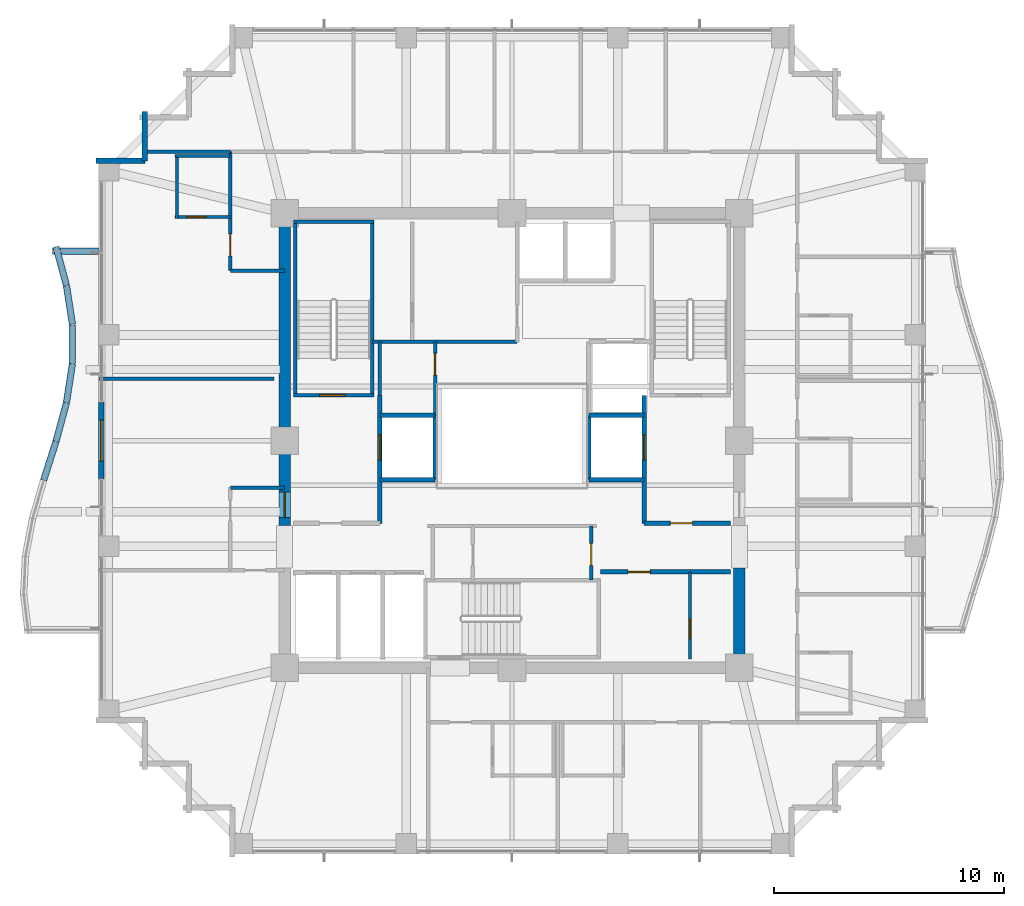
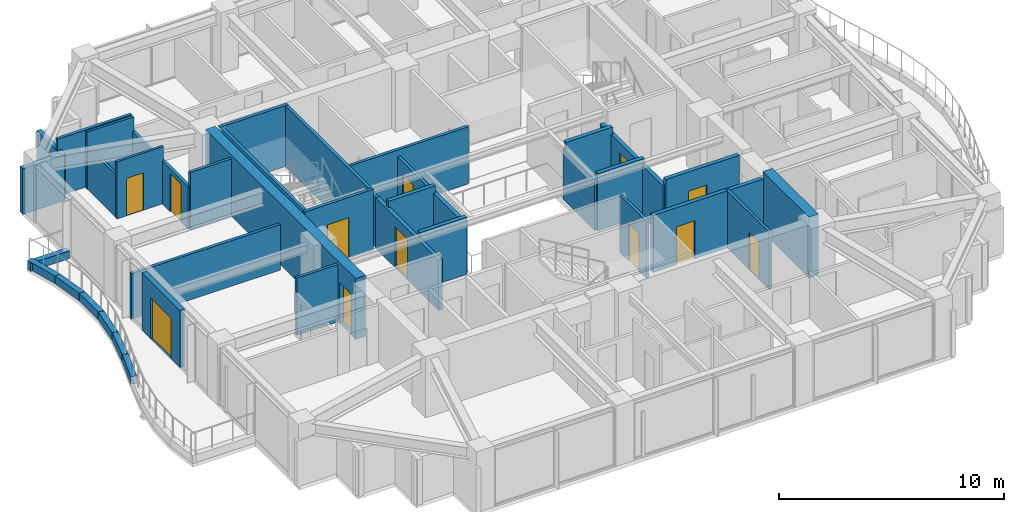
# One storey, part 29 of 33: 39 walls, 12 doors, 12 openings.
"""IFC4 building model written with IfcOpenShell, lengths in metres."""

from ifc_helpers import new_model, si_unit, direction, frame, frame_2d, origin, place, context, subcontext, project, spatial, rectangle, extrude, material, layer, layer_set, type_object, element, fill, save


model = new_model("IFC4")

# Units and contexts
model_context = context("Model", 3, precision=1e-05, world=origin(), true_north=direction((0.0, 1.0)))
body_context = subcontext(model_context, "Body", "Model", "MODEL_VIEW")
ifc_project = project(units=[si_unit("LENGTHUNIT", "METRE"), si_unit("AREAUNIT", "SQUARE_METRE"), si_unit("VOLUMEUNIT", "CUBIC_METRE"), si_unit("PLANEANGLEUNIT", "RADIAN"), si_unit("MASSUNIT", "GRAM", prefix="KILO")], contexts=[model_context])

# Site, building, storey
site_placement = place(None, origin())
site = spatial("IfcSite", under=ifc_project, at=site_placement, CompositionType="ELEMENT")
building_placement = place(site_placement, origin())
building = spatial("IfcBuilding", under=site, at=building_placement, Name="Kolvaren Belvedere", CompositionType="ELEMENT")
storey_placement = place(building_placement, frame((0.0, 0.0, 128.300048828125)))
storey = spatial("IfcBuildingStorey", under=building, at=storey_placement, Name="L37", CompositionType="ELEMENT", Elevation=128.300048828125)

# Wall
ifc_material_1 = material(Name="Concrete C50/60", Category="concrete")
ifc_layer_1 = layer(ifc_material_1, 0.5)
ifc_layer_set_1 = layer_set([ifc_layer_1], Name="Concrete C50/60")
wall_type_1 = type_object("IfcWallType", Name="CW-CORE-500", PredefinedType="SHEAR", material=ifc_layer_set_1)
wall_1_placement = place(storey_placement, frame((9.89990234375, -9.64990234375, 0.0), z_axis=(0.0, 0.0, 1.0), x_axis=(0.0, 1.0, 0.0)))
element("IfcWall", 1, at=wall_1_placement, inside=storey, type_object=wall_type_1, Name="L37 East Core Shear Wall 1", PredefinedType="SHEAR", context=body_context, shape_type="SweptSolid", body=[
    extrude(rectangle(XDim=4.099853515625, YDim=0.5, at=frame_2d((2.0498046875, 0.0))), origin(), (0.0, 0.0, 1.0), 3.300048828125),
])

# Wall, opening, door
wall_2_placement = place(storey_placement, frame((-9.89990234375, -3.699951171875, 0.0), z_axis=(0.0, 0.0, 1.0), x_axis=(0.0, 1.0, 0.0)))
wall_2 = element("IfcWall", 2, at=wall_2_placement, inside=storey, type_object=wall_type_1, Name="L37 West Core Shear Wall 2", PredefinedType="SHEAR", context=body_context, shape_type="SweptSolid", body=[
    extrude(rectangle(XDim=13.349853515625, YDim=0.5, at=frame_2d((6.6748046875, 0.0))), origin(), (0.0, 0.0, 1.0), 3.300048828125),
])
opening_1_placement = place(wall_2_placement, frame((0.35009765625, 0.0, 0.0)))
opening_1 = element("IfcOpeningElement", 3, at=opening_1_placement, cuts=wall_2, Name="Opening D-FD90", PredefinedType="OPENING", context=body_context, shape_type="SweptSolid", body=[
    extrude(rectangle(XDim=1.10009765625, YDim=2.199951171875, at=frame_2d((0.550048828125, 1.10009765625))), frame((0.0, 0.260009765625, 0.0), z_axis=(0.0, -1.0, 0.0), x_axis=(1.0, 0.0, 0.0)), (0.0, 0.0, 1.0), 0.52001953125),
])
ifc_material_2 = material(Name="Painted hollow stainless steel", Category="steel")
door_type_1 = type_object("IfcDoorType", Name="DR-FD90-1100", OperationType="NOTDEFINED", PredefinedType="DOOR", material=ifc_material_2)
door_1_placement = place(opening_1_placement, origin())
door_1 = element("IfcDoor", 4, at=door_1_placement, inside=storey, type_object=door_type_1, Name="L37 West Firefighting Lobby Fire Door", OperationType="SINGLE_SWING_LEFT", OverallHeight=2.199951171875, OverallWidth=1.10009765625, PredefinedType="DOOR", context=body_context, shape_type="SweptSolid", body=[
    extrude(rectangle(XDim=1.10009765625, YDim=2.199951171875, at=frame_2d((0.550048828125, 1.10009765625))), frame((0.0, 0.02490234375, 0.0), z_axis=(0.0, -1.0, 0.0), x_axis=(1.0, 0.0, 0.0)), (0.0, 0.0, 1.0), 0.050048828125),
])
fill(opening_1, door_1)

ifc_material_3 = material(Name="Concrete C50/60", Category="concrete")
ifc_layer_2 = layer(ifc_material_3, 0.159912109375)
ifc_layer_set_2 = layer_set([ifc_layer_2], Name="Concrete C50/60")
wall_type_2 = type_object("IfcWallType", Name="CW-STAIR-160", PredefinedType="SHEAR", material=ifc_layer_set_2)
wall_3_placement = place(storey_placement, frame((-9.52001953125, 1.969970703125, 0.0), z_axis=(0.0, 0.0, 1.0), x_axis=(1.0, 0.0, 0.0)))
wall_3 = element("IfcWall", 5, at=wall_3_placement, inside=storey, type_object=wall_type_2, Name="L37 Stair ST-1 South Shear Wall", PredefinedType="SHEAR", context=body_context, shape_type="SweptSolid", body=[
    extrude(rectangle(XDim=3.52001953125, YDim=0.159912109375, at=frame_2d((1.760009765625, 0.0))), origin(), (0.0, 0.0, 1.0), 3.300048828125),
])
opening_2_placement = place(wall_3_placement, frame((1.14990234375, 0.0, 0.0)))
opening_2 = element("IfcOpeningElement", 6, at=opening_2_placement, cuts=wall_3, Name="Opening D-FD90", PredefinedType="OPENING", context=body_context, shape_type="SweptSolid", body=[
    extrude(rectangle(XDim=1.10009765625, YDim=2.199951171875, at=frame_2d((0.550048828125, 1.10009765625))), frame((0.0, 0.08984375, 0.0), z_axis=(0.0, -1.0, 0.0), x_axis=(1.0, 0.0, 0.0)), (0.0, 0.0, 1.0), 0.179931640625),
])
door_2_placement = place(opening_2_placement, origin())
door_2 = element("IfcDoor", 7, at=door_2_placement, inside=storey, type_object=door_type_1, Name="L37 Stair ST-1 Fire Door", OperationType="SINGLE_SWING_LEFT", OverallHeight=2.199951171875, OverallWidth=1.10009765625, PredefinedType="DOOR", context=body_context, shape_type="SweptSolid", body=[
    extrude(rectangle(XDim=1.10009765625, YDim=2.199951171875, at=frame_2d((0.550048828125, 1.10009765625))), frame((0.0, 0.02490234375, 0.0), z_axis=(0.0, -1.0, 0.0), x_axis=(1.0, 0.0, 0.0)), (0.0, 0.0, 1.0), 0.050048828125),
])
fill(opening_2, door_2)

# Walls
wall_4_placement = place(storey_placement, frame((-9.52001953125, 9.530029296875, 0.0), z_axis=(0.0, 0.0, 1.0), x_axis=(1.0, 0.0, 0.0)))
element("IfcWall", 8, at=wall_4_placement, inside=storey, type_object=wall_type_2, Name="L37 Stair ST-1 North Shear Wall", PredefinedType="SHEAR", context=body_context, shape_type="SweptSolid", body=[
    extrude(rectangle(XDim=3.52001953125, YDim=0.159912109375, at=frame_2d((1.760009765625, 0.0))), origin(), (0.0, 0.0, 1.0), 3.300048828125),
])
for number, where, z_axis, x_axis, name in (
    (9, (-9.429931640625, 1.969970703125, 0.0), (0.0, 0.0, 1.0), (0.0, 1.0, 0.0), "L37 Stair ST-1 West Shear Wall"),
    (10, (-6.080078125, 1.969970703125, 0.0), (0.0, 0.0, 1.0), (0.0, 1.0, 0.0), "L37 Stair ST-1 East Shear Wall"),
):
    element("IfcWall", number, at=place(storey_placement, frame(where, z_axis=z_axis, x_axis=x_axis)), inside=storey, type_object=wall_type_2, Name=name, PredefinedType="SHEAR", context=body_context, shape_type="SweptSolid", body=[
        extrude(rectangle(XDim=7.56005859375, YDim=0.159912109375, at=frame_2d((3.780029296875, 0.0))), origin(), (0.0, 0.0, 1.0), 3.300048828125),
    ])

# Wall, opening, door
ifc_material_4 = material(Name="Gypsum fire-rated partition assembly", Category="gypsum")
ifc_layer_3 = layer(ifc_material_4, 0.14990234375)
ifc_layer_set_3 = layer_set([ifc_layer_3], Name="Gypsum fire-rated partition assembly")
wall_type_3 = type_object("IfcWallType", Name="WL-CORR-150", PredefinedType="PARTITIONING", material=ifc_layer_set_3)
wall_5_placement = place(storey_placement, frame((-12.260009765625, 7.39990234375, 0.0), z_axis=(0.0, 0.0, 1.0), x_axis=(0.0, 1.0, 0.0)))
wall_5 = element("IfcWall", 11, at=wall_5_placement, inside=storey, type_object=wall_type_3, Name="L37 NW Corridor End Wall", PredefinedType="PARTITIONING", context=body_context, shape_type="SweptSolid", body=[
    extrude(rectangle(XDim=5.18017578125, YDim=0.14990234375, at=frame_2d((2.590087890625, 0.0))), origin(), (0.0, 0.0, 1.0), 2.31201171875),
])
opening_3_placement = place(wall_5_placement, frame((0.64453125, 0.0, 0.0)))
opening_3 = element("IfcOpeningElement", 12, at=opening_3_placement, cuts=wall_5, Name="Opening D-FD60", PredefinedType="OPENING", context=body_context, shape_type="SweptSolid", body=[
    extrude(rectangle(XDim=0.949951171875, YDim=2.06005859375, at=frame_2d((0.47509765625, 1.030029296875))), frame((0.0, 0.0849609375, 0.0), z_axis=(0.0, -1.0, 0.0), x_axis=(1.0, 0.0, 0.0)), (0.0, 0.0, 1.0), 0.169921875),
])
ifc_material_5 = material(Name="Acoustic white-oak fire door leaf", Category="timber")
door_type_2 = type_object("IfcDoorType", Name="DR-FD60-950", OperationType="NOTDEFINED", PredefinedType="DOOR", material=ifc_material_5)
door_3_placement = place(opening_3_placement, origin())
door_3 = element("IfcDoor", 13, at=door_3_placement, inside=storey, type_object=door_type_2, Name="L37 King Guest Room 3710 Entry Door", OperationType="SINGLE_SWING_LEFT", OverallHeight=2.06005859375, OverallWidth=0.949951171875, PredefinedType="DOOR", context=body_context, shape_type="SweptSolid", body=[
    extrude(rectangle(XDim=0.949951171875, YDim=2.06005859375, at=frame_2d((0.47509765625, 1.030029296875))), frame((0.0, 0.02490234375, 0.0), z_axis=(0.0, -1.0, 0.0), x_axis=(1.0, 0.0, 0.0)), (0.0, 0.0, 1.0), 0.050048828125),
])
fill(opening_3, door_3)

# Walls
for number, where, z_axis, x_axis, name in (
    (14, (-12.260009765625, 7.39990234375, 0.0), (0.0, 0.0, 1.0), (1.0, 0.0, 0.0), "L37 NW Core Closure Wall"),
    (15, (-12.260009765625, -2.050048828125, 0.0), (0.0, 0.0, 1.0), (1.0, 0.0, 0.0), "L37 West Pocket North Closure Wall"),
):
    element("IfcWall", number, at=place(storey_placement, frame(where, z_axis=z_axis, x_axis=x_axis)), inside=storey, type_object=wall_type_3, Name=name, PredefinedType="PARTITIONING", context=body_context, shape_type="SweptSolid", body=[
        extrude(rectangle(XDim=2.360107421875, YDim=0.14990234375, at=frame_2d((1.18017578125, 0.0))), origin(), (0.0, 0.0, 1.0), 3.099853515625),
    ])
ifc_material_6 = material(Name="Insulated pale-metal facade wall assembly", Category="aluminium")
ifc_layer_4 = layer(ifc_material_6, 0.239990234375)
ifc_layer_set_4 = layer_set([ifc_layer_4], Name="Insulated pale-metal facade wall assembly")
wall_type_4 = type_object("IfcWallType", Name="WL-EXT-240", PredefinedType="STANDARD", material=ifc_layer_set_4)
for number, where, z_axis, x_axis, name in (
    (16, (-15.97998046875, 12.179931640625, 0.0), (0.0, 0.0, 1.0), (0.0, 1.0, 0.0), "L37 Serrated Corner Facade Wall 20"),
    (17, (-18.1201171875, 12.179931640625, 0.0), (0.0, 0.0, 1.0), (1.0, 0.0, 0.0), "L37 Serrated Corner Facade Wall 21"),
):
    element("IfcWall", number, at=place(storey_placement, frame(where, z_axis=z_axis, x_axis=x_axis)), inside=storey, type_object=wall_type_4, Name=name, PredefinedType="STANDARD", context=body_context, shape_type="SweptSolid", body=[
        extrude(rectangle(XDim=2.14013671875, YDim=0.239990234375, at=frame_2d((1.070068359375, 0.0))), origin(), (0.0, 0.0, 1.0), 2.47900390625),
    ])

# Wall, opening, door
wall_6_placement = place(storey_placement, frame((-17.8798828125, -1.679931640625, 0.0), z_axis=(0.0, 0.0, 1.0), x_axis=(0.0, 1.0, 0.0)))
wall_6 = element("IfcWall", 18, at=wall_6_placement, inside=storey, type_object=wall_type_4, Name="L37 West Terrace Portal Wall", PredefinedType="STANDARD", context=body_context, shape_type="SweptSolid", body=[
    extrude(rectangle(XDim=3.35986328125, YDim=0.239990234375, at=frame_2d((1.679931640625, 0.0))), origin(), (0.0, 0.0, 1.0), 3.099853515625),
])
opening_4_placement = place(wall_6_placement, frame((0.780029296875, 0.0, 0.0)))
opening_4 = element("IfcOpeningElement", 19, at=opening_4_placement, cuts=wall_6, Name="Opening DB-1800", PredefinedType="OPENING", context=body_context, shape_type="SweptSolid", body=[
    extrude(rectangle(XDim=1.800048828125, YDim=2.199951171875, at=frame_2d((0.89990234375, 1.10009765625))), frame((0.0, 0.1298828125, 0.0), z_axis=(0.0, -1.0, 0.0), x_axis=(1.0, 0.0, 0.0)), (0.0, 0.0, 1.0), 0.260009765625),
])
ifc_material_7 = material(Name="Thermally broken pale-metal aluminium & low-iron glass", Category="aluminium")
door_type_3 = type_object("IfcDoorType", Name="DR-BAL-1800", OperationType="DOUBLE_DOOR_SLIDING", PredefinedType="DOOR", material=ifc_material_7)
door_4_placement = place(opening_4_placement, origin())
door_4 = element("IfcDoor", 20, at=door_4_placement, inside=storey, type_object=door_type_3, Name="L37 West Planted Terrace Sliding Door", OperationType="DOUBLE_DOOR_SLIDING", OverallHeight=2.199951171875, OverallWidth=1.800048828125, PredefinedType="DOOR", context=body_context, shape_type="SweptSolid", body=[
    extrude(rectangle(XDim=1.800048828125, YDim=2.199951171875, at=frame_2d((0.89990234375, 1.10009765625))), frame((0.0, 0.02490234375, 0.0), z_axis=(0.0, -1.0, 0.0), x_axis=(1.0, 0.0, 0.0)), (0.0, 0.0, 1.0), 0.050048828125),
])
fill(opening_4, door_4)

# Wall
ifc_material_8 = material(Name="Gypsum acoustic partition assembly", Category="gypsum")
ifc_layer_5 = layer(ifc_material_8, 0.14990234375)
ifc_layer_set_5 = layer_set([ifc_layer_5], Name="Gypsum acoustic partition assembly")
wall_type_5 = type_object("IfcWallType", Name="WL-PART-150", PredefinedType="PARTITIONING", material=ifc_layer_set_5)
wall_7_placement = place(storey_placement, frame((-6.080078125, 4.300048828125, 0.0), z_axis=(0.0, 0.0, 1.0), x_axis=(1.0, 0.0, 0.0)))
element("IfcWall", 21, at=wall_7_placement, inside=storey, type_object=wall_type_5, Name="L37 Reclaimed Salon South Wall", PredefinedType="PARTITIONING", context=body_context, shape_type="SweptSolid", body=[
    extrude(rectangle(XDim=6.300048828125, YDim=0.14990234375, at=frame_2d((3.14990234375, 0.0))), origin(), (0.0, 0.0, 1.0), 3.099853515625),
])

# Wall, opening, door
wall_8_placement = place(storey_placement, frame((7.75, -9.52001953125, 0.0), z_axis=(0.0, 0.0, 1.0), x_axis=(0.0, 1.0, 0.0)))
wall_8 = element("IfcWall", 22, at=wall_8_placement, inside=storey, type_object=wall_type_5, Name="L37 SE Core Asymmetric Divider", PredefinedType="PARTITIONING", context=body_context, shape_type="SweptSolid", body=[
    extrude(rectangle(XDim=3.800048828125, YDim=0.14990234375, at=frame_2d((1.89990234375, 0.0))), origin(), (0.0, 0.0, 1.0), 3.099853515625),
])
opening_5_placement = place(wall_8_placement, frame((0.89990234375, 0.0, 0.0)))
opening_5 = element("IfcOpeningElement", 23, at=opening_5_placement, cuts=wall_8, Name="Opening D-INT85", PredefinedType="OPENING", context=body_context, shape_type="SweptSolid", body=[
    extrude(rectangle(XDim=0.85009765625, YDim=2.030029296875, at=frame_2d((0.425048828125, 1.01513671875))), frame((0.0, 0.0849609375, 0.0), z_axis=(0.0, -1.0, 0.0), x_axis=(1.0, 0.0, 0.0)), (0.0, 0.0, 1.0), 0.169921875),
])
ifc_material_9 = material(Name="Stained Pacific white oak", Category="timber")
door_type_4 = type_object("IfcDoorType", Name="DR-INT-850", OperationType="NOTDEFINED", PredefinedType="DOOR", material=ifc_material_9)
door_5_placement = place(opening_5_placement, origin())
door_5 = element("IfcDoor", 24, at=door_5_placement, inside=storey, type_object=door_type_4, Name="L37 SE Janitor Door", OperationType="SINGLE_SWING_LEFT", OverallHeight=2.030029296875, OverallWidth=0.85009765625, PredefinedType="DOOR", context=body_context, shape_type="SweptSolid", body=[
    extrude(rectangle(XDim=0.85009765625, YDim=2.030029296875, at=frame_2d((0.425048828125, 1.01513671875))), frame((0.0, 0.02490234375, 0.0), z_axis=(0.0, -1.0, 0.0), x_axis=(1.0, 0.0, 0.0)), (0.0, 0.0, 1.0), 0.050048828125),
])
fill(opening_5, door_5)

wall_9_placement = place(storey_placement, frame((3.449951171875, -6.080078125, 0.0), z_axis=(0.0, 0.0, 1.0), x_axis=(0.0, 1.0, 0.0)))
wall_9 = element("IfcWall", 25, at=wall_9_placement, inside=storey, type_object=wall_type_5, Name="L37 South Core Service East Wall", PredefinedType="PARTITIONING", context=body_context, shape_type="SweptSolid", body=[
    extrude(rectangle(XDim=2.360107421875, YDim=0.14990234375, at=frame_2d((1.18017578125, 0.0))), origin(), (0.0, 0.0, 1.0), 3.099853515625),
])
opening_6_placement = place(wall_9_placement, frame((0.64990234375, 0.0, 0.0)))
opening_6 = element("IfcOpeningElement", 26, at=opening_6_placement, cuts=wall_9, Name="Opening D-FD60", PredefinedType="OPENING", context=body_context, shape_type="SweptSolid", body=[
    extrude(rectangle(XDim=0.949951171875, YDim=2.06005859375, at=frame_2d((0.47509765625, 1.030029296875))), frame((0.0, 0.0849609375, 0.0), z_axis=(0.0, -1.0, 0.0), x_axis=(1.0, 0.0, 0.0)), (0.0, 0.0, 1.0), 0.169921875),
])
door_6_placement = place(opening_6_placement, origin())
door_6 = element("IfcDoor", 27, at=door_6_placement, inside=storey, type_object=door_type_2, Name="L37 Core Service Room Door", OperationType="SINGLE_SWING_LEFT", OverallHeight=2.06005859375, OverallWidth=0.949951171875, PredefinedType="DOOR", context=body_context, shape_type="SweptSolid", body=[
    extrude(rectangle(XDim=0.949951171875, YDim=2.06005859375, at=frame_2d((0.47509765625, 1.030029296875))), frame((0.0, 0.02490234375, 0.0), z_axis=(0.0, -1.0, 0.0), x_axis=(1.0, 0.0, 0.0)), (0.0, 0.0, 1.0), 0.050048828125),
])
fill(opening_6, door_6)

wall_10_placement = place(storey_placement, frame((-3.35009765625, 1.10009765625, 0.0), z_axis=(0.0, 0.0, 1.0), x_axis=(0.0, 1.0, 0.0)))
wall_10 = element("IfcWall", 28, at=wall_10_placement, inside=storey, type_object=wall_type_5, Name="L37 NW Service Room East Wall", PredefinedType="PARTITIONING", context=body_context, shape_type="SweptSolid", body=[
    extrude(rectangle(XDim=3.199951171875, YDim=0.14990234375, at=frame_2d((1.60009765625, 0.0))), origin(), (0.0, 0.0, 1.0), 2.73486328125),
])
opening_7_placement = place(wall_10_placement, frame((1.75, 0.0, 0.0)))
opening_7 = element("IfcOpeningElement", 29, at=opening_7_placement, cuts=wall_10, Name="Opening D-FD60", PredefinedType="OPENING", context=body_context, shape_type="SweptSolid", body=[
    extrude(rectangle(XDim=0.949951171875, YDim=2.06005859375, at=frame_2d((0.47509765625, 1.030029296875))), frame((0.0, 0.0849609375, 0.0), z_axis=(0.0, -1.0, 0.0), x_axis=(1.0, 0.0, 0.0)), (0.0, 0.0, 1.0), 0.169921875),
])
door_7_placement = place(opening_7_placement, origin())
door_7 = element("IfcDoor", 30, at=door_7_placement, inside=storey, type_object=door_type_2, Name="L37 NW Core Store Door", OperationType="SINGLE_SWING_LEFT", OverallHeight=2.06005859375, OverallWidth=0.949951171875, PredefinedType="DOOR", context=body_context, shape_type="SweptSolid", body=[
    extrude(rectangle(XDim=0.949951171875, YDim=2.06005859375, at=frame_2d((0.47509765625, 1.030029296875))), frame((0.0, 0.02490234375, 0.0), z_axis=(0.0, -1.0, 0.0), x_axis=(1.0, 0.0, 0.0)), (0.0, 0.0, 1.0), 0.050048828125),
])
fill(opening_7, door_7)

# Walls
wall_11_placement = place(storey_placement, frame((-5.75, 1.969970703125, 0.0), z_axis=(0.0, 0.0, 1.0), x_axis=(0.0, 1.0, 0.0)))
element("IfcWall", 31, at=wall_11_placement, inside=storey, type_object=wall_type_5, Name="L37 NW Service Room West Wall", PredefinedType="PARTITIONING", context=body_context, shape_type="SweptSolid", body=[
    extrude(rectangle(XDim=2.330078125, YDim=0.14990234375, at=frame_2d((1.1650390625, 0.0))), origin(), (0.0, 0.0, 1.0), 2.73486328125),
])
wall_12_placement = place(storey_placement, frame((-16.080078125, 12.580078125, 0.0), z_axis=(0.0, 0.0, 1.0), x_axis=(1.0, 0.0, 0.0)))
element("IfcWall", 32, at=wall_12_placement, inside=storey, type_object=wall_type_5, Name="L37 Wing Divider PW-L37-QNW", PredefinedType="PARTITIONING", context=body_context, shape_type="SweptSolid", body=[
    extrude(rectangle(XDim=3.820068359375, YDim=0.14990234375, at=frame_2d((1.91015625, 0.0))), origin(), (0.0, 0.0, 1.0), 3.099853515625),
])
wall_13_placement = place(storey_placement, frame((-17.97998046875, 2.699951171875, 0.0), z_axis=(0.0, 0.0, 1.0), x_axis=(1.0, 0.0, 0.0)))
element("IfcWall", 33, at=wall_13_placement, inside=storey, type_object=wall_type_5, Name="L37 West Upper Suite Divider", PredefinedType="PARTITIONING", context=body_context, shape_type="SweptSolid", body=[
    extrude(rectangle(XDim=7.619873046875, YDim=0.14990234375, at=frame_2d((3.81005859375, 0.0))), origin(), (0.0, 0.0, 1.0), 2.468994140625),
])
ifc_material_10 = material(Name="Precast concrete C40/50", Category="concrete")
ifc_layer_6 = layer(ifc_material_10, 0.300048828125)
ifc_layer_set_6 = layer_set([ifc_layer_6], Name="Precast concrete C40/50")
wall_type_6 = type_object("IfcWallType", Name="WL-PLANTER-300", PredefinedType="PARAPET", material=ifc_layer_set_6)
wall_14_placement = place(storey_placement, frame((-19.851806640625, 8.441650390625, -0.02001953125), z_axis=(0.0, 0.0, 1.0), x_axis=(0.260682852326, -0.965424492388, 0.0)))
element("IfcWall", 34, at=wall_14_placement, inside=storey, type_object=wall_type_6, Name="L37 Precast Structural Planter Wall BAL-W-1", PredefinedType="PARAPET", context=body_context, shape_type="SweptSolid", body=[
    extrude(rectangle(XDim=1.739990234375, YDim=0.280029296875, at=frame_2d((0.8701171875, 0.0))), origin(), (0.0, 0.0, 1.0), 0.419921875),
])
wall_15_placement = place(storey_placement, frame((-19.39453125, 6.744384765625, -0.02001953125), z_axis=(0.0, 0.0, 1.0), x_axis=(0.152251460091, -0.988341789514, 0.0)))
element("IfcWall", 35, at=wall_15_placement, inside=storey, type_object=wall_type_6, Name="L37 Precast Structural Planter Wall BAL-W-2", PredefinedType="PARAPET", context=body_context, shape_type="SweptSolid", body=[
    extrude(rectangle(XDim=1.69970703125, YDim=0.280029296875, at=frame_2d((0.849853515625, 0.0))), origin(), (0.0, 0.0, 1.0), 0.419921875),
])
wall_16_placement = place(storey_placement, frame((-19.1337890625, 5.0400390625, -0.02001953125), z_axis=(0.0, 0.0, 1.0), x_axis=(0.0, -1.0, 0.0)))
element("IfcWall", 36, at=wall_16_placement, inside=storey, type_object=wall_type_6, Name="L37 Precast Structural Planter Wall BAL-W-3", PredefinedType="PARAPET", context=body_context, shape_type="SweptSolid", body=[
    extrude(rectangle(XDim=1.679931640625, YDim=0.280029296875, at=frame_2d((0.83984375, 0.0))), origin(), (0.0, 0.0, 1.0), 0.419921875),
])
wall_17_placement = place(storey_placement, frame((-19.1357421875, 3.335693359375, -0.02001953125), z_axis=(0.0, 0.0, 1.0), x_axis=(-0.152229849666, -0.988345118302, 0.0)))
element("IfcWall", 37, at=wall_17_placement, inside=storey, type_object=wall_type_6, Name="L37 Precast Structural Planter Wall BAL-W-4", PredefinedType="PARAPET", context=body_context, shape_type="SweptSolid", body=[
    extrude(rectangle(XDim=1.699951171875, YDim=0.280029296875, at=frame_2d((0.85009765625, 0.0))), origin(), (0.0, 0.0, 1.0), 0.419921875),
])
wall_18_placement = place(storey_placement, frame((-19.398193359375, 1.63818359375, -0.02001953125), z_axis=(0.0, 0.0, 1.0), x_axis=(-0.260682852326, -0.965424492388, 0.0)))
element("IfcWall", 38, at=wall_18_placement, inside=storey, type_object=wall_type_6, Name="L37 Precast Structural Planter Wall BAL-W-5", PredefinedType="PARAPET", context=body_context, shape_type="SweptSolid", body=[
    extrude(rectangle(XDim=1.739990234375, YDim=0.280029296875, at=frame_2d((0.8701171875, 0.0))), origin(), (0.0, 0.0, 1.0), 0.419921875),
])
wall_19_placement = place(storey_placement, frame((-19.85400390625, -0.048583984375, -0.02001953125), z_axis=(0.0, 0.0, 1.0), x_axis=(-0.303906495014, -0.952701864325, 0.0)))
element("IfcWall", 39, at=wall_19_placement, inside=storey, type_object=wall_type_6, Name="L37 Precast Structural Planter Wall BAL-W-6", PredefinedType="PARAPET", context=body_context, shape_type="SweptSolid", body=[
    extrude(rectangle(XDim=1.763427734375, YDim=0.280029296875, at=frame_2d((0.8818359375, 0.0))), origin(), (0.0, 0.0, 1.0), 0.419921875),
])
wall_20_placement = place(storey_placement, frame((-18.0, 8.239990234375, -0.02001953125), z_axis=(0.0, 0.0, 1.0), x_axis=(-1.0, 0.0, 0.0)))
element("IfcWall", 40, at=wall_20_placement, inside=storey, type_object=wall_type_6, Name="L37 Precast Structural Planter Wall BAL-W-22", PredefinedType="PARAPET", context=body_context, shape_type="SweptSolid", body=[
    extrude(rectangle(XDim=2.00634765625, YDim=0.280029296875, at=frame_2d((1.003173828125, 0.0))), origin(), (0.0, 0.0, 1.0), 0.419921875),
])

# Wall, opening, door
ifc_material_11 = material(Name="Concrete C50/60", Category="concrete")
ifc_layer_7 = layer(ifc_material_11, 0.199951171875)
ifc_layer_set_7 = layer_set([ifc_layer_7], Name="Concrete C50/60")
wall_type_7 = type_object("IfcWallType", Name="WL-SHAFT-200", PredefinedType="SOLIDWALL", material=ifc_layer_set_7)
wall_21_placement = place(storey_placement, frame((-5.75, -3.60009765625, 0.0), z_axis=(0.0, 0.0, 1.0), x_axis=(0.0, 1.0, 0.0)))
wall_21 = element("IfcWall", 41, at=wall_21_placement, inside=storey, type_object=wall_type_7, Name="L37 FSAE FS1 Landing Wall", PredefinedType="SOLIDWALL", context=body_context, shape_type="SweptSolid", body=[
    extrude(rectangle(XDim=5.570068359375, YDim=0.199951171875, at=frame_2d((2.78515625, 0.0))), origin(), (0.0, 0.0, 1.0), 2.73486328125),
])
opening_8_placement = place(wall_21_placement, frame((2.75, 0.0, 0.0)))
opening_8 = element("IfcOpeningElement", 42, at=opening_8_placement, cuts=wall_21, Name="Opening LD-11", PredefinedType="OPENING", context=body_context, shape_type="SweptSolid", body=[
    extrude(rectangle(XDim=1.10009765625, YDim=2.199951171875, at=frame_2d((0.550048828125, 1.10009765625))), frame((0.0, 0.10986328125, 0.0), z_axis=(0.0, -1.0, 0.0), x_axis=(1.0, 0.0, 0.0)), (0.0, 0.0, 1.0), 0.219970703125),
])
ifc_material_12 = material(Name="Brushed stainless steel", Category="steel")
door_type_5 = type_object("IfcDoorType", Name="DR-LIFT-1100", OperationType="DOUBLE_DOOR_SLIDING", PredefinedType="DOOR", material=ifc_material_12)
door_8_placement = place(opening_8_placement, origin())
door_8 = element("IfcDoor", 43, at=door_8_placement, inside=storey, type_object=door_type_5, Name="L37 Firefighting Lift FS1 Landing Door", OperationType="DOUBLE_DOOR_SLIDING", OverallHeight=2.199951171875, OverallWidth=1.10009765625, PredefinedType="DOOR", context=body_context, shape_type="SweptSolid", body=[
    extrude(rectangle(XDim=1.10009765625, YDim=2.199951171875, at=frame_2d((0.550048828125, 1.10009765625))), frame((0.0, 0.02490234375, 0.0), z_axis=(0.0, -1.0, 0.0), x_axis=(1.0, 0.0, 0.0)), (0.0, 0.0, 1.0), 0.050048828125),
])
fill(opening_8, door_8)

# Walls
wall_22_placement = place(storey_placement, frame((-3.35009765625, -1.699951171875, 0.0), z_axis=(0.0, 0.0, 1.0), x_axis=(0.0, 1.0, 0.0)))
element("IfcWall", 44, at=wall_22_placement, inside=storey, type_object=wall_type_7, Name="L37 FSAE FS1 Back Wall", PredefinedType="SOLIDWALL", context=body_context, shape_type="SweptSolid", body=[
    extrude(rectangle(XDim=2.800048828125, YDim=0.199951171875, at=frame_2d((1.39990234375, 0.0))), origin(), (0.0, 0.0, 1.0), 2.73486328125),
])
for number, where, z_axis, x_axis, name in (
    (45, (-5.75, -1.699951171875, 0.0), (0.0, 0.0, 1.0), (1.0, 0.0, 0.0), "L37 FSAE FS1 South Wall"),
    (46, (-5.75, 1.10009765625, 0.0), (0.0, 0.0, 1.0), (1.0, 0.0, 0.0), "L37 FSAE FS1 North Wall"),
):
    element("IfcWall", number, at=place(storey_placement, frame(where, z_axis=z_axis, x_axis=x_axis)), inside=storey, type_object=wall_type_7, Name=name, PredefinedType="SOLIDWALL", context=body_context, shape_type="SweptSolid", body=[
        extrude(rectangle(XDim=2.39990234375, YDim=0.199951171875, at=frame_2d((1.199951171875, 0.0))), origin(), (0.0, 0.0, 1.0), 3.099853515625),
    ])

# Wall, opening, door
wall_23_placement = place(storey_placement, frame((5.75, -3.60009765625, 0.0), z_axis=(0.0, 0.0, 1.0), x_axis=(1.0, 0.0, 0.0)))
wall_23 = element("IfcWall", 47, at=wall_23_placement, inside=storey, type_object=wall_type_7, Name="L37 East FSAE Lobby South Wall", PredefinedType="SOLIDWALL", context=body_context, shape_type="SweptSolid", body=[
    extrude(rectangle(XDim=3.77001953125, YDim=0.199951171875, at=frame_2d((1.885009765625, 0.0))), origin(), (0.0, 0.0, 1.0), 3.099853515625),
])
opening_9_placement = place(wall_23_placement, frame((1.14990234375, 0.0, 0.0)))
opening_9 = element("IfcOpeningElement", 48, at=opening_9_placement, cuts=wall_23, Name="Opening D-FD60", PredefinedType="OPENING", context=body_context, shape_type="SweptSolid", body=[
    extrude(rectangle(XDim=0.949951171875, YDim=2.06005859375, at=frame_2d((0.47509765625, 1.030029296875))), frame((0.0, 0.10986328125, 0.0), z_axis=(0.0, -1.0, 0.0), x_axis=(1.0, 0.0, 0.0)), (0.0, 0.0, 1.0), 0.219970703125),
])
door_9_placement = place(opening_9_placement, origin())
door_9 = element("IfcDoor", 49, at=door_9_placement, inside=storey, type_object=door_type_2, Name="L37 SE Lift Lobby Fire Door", OperationType="SINGLE_SWING_RIGHT", OverallHeight=2.06005859375, OverallWidth=0.949951171875, PredefinedType="DOOR", context=body_context, shape_type="SweptSolid", body=[
    extrude(rectangle(XDim=0.949951171875, YDim=2.06005859375, at=frame_2d((0.47509765625, 1.030029296875))), frame((0.0, 0.02490234375, 0.0), z_axis=(0.0, -1.0, 0.0), x_axis=(1.0, 0.0, 0.0)), (0.0, 0.0, 1.0), 0.050048828125),
])
fill(opening_9, door_9)

wall_24_placement = place(storey_placement, frame((5.75, -3.60009765625, 0.0), z_axis=(0.0, 0.0, 1.0), x_axis=(0.0, 1.0, 0.0)))
wall_24 = element("IfcWall", 50, at=wall_24_placement, inside=storey, type_object=wall_type_7, Name="L37 FSAE FS2 Landing Wall", PredefinedType="SOLIDWALL", context=body_context, shape_type="SweptSolid", body=[
    extrude(rectangle(XDim=5.570068359375, YDim=0.199951171875, at=frame_2d((2.78515625, 0.0))), origin(), (0.0, 0.0, 1.0), 2.73486328125),
])
opening_10_placement = place(wall_24_placement, frame((2.75, 0.0, 0.0)))
opening_10 = element("IfcOpeningElement", 51, at=opening_10_placement, cuts=wall_24, Name="Opening LD-11", PredefinedType="OPENING", context=body_context, shape_type="SweptSolid", body=[
    extrude(rectangle(XDim=1.10009765625, YDim=2.199951171875, at=frame_2d((0.550048828125, 1.10009765625))), frame((0.0, 0.10986328125, 0.0), z_axis=(0.0, -1.0, 0.0), x_axis=(1.0, 0.0, 0.0)), (0.0, 0.0, 1.0), 0.219970703125),
])
door_10_placement = place(opening_10_placement, origin())
door_10 = element("IfcDoor", 52, at=door_10_placement, inside=storey, type_object=door_type_5, Name="L37 Firefighting Lift FS2 Landing Door", OperationType="DOUBLE_DOOR_SLIDING", OverallHeight=2.199951171875, OverallWidth=1.10009765625, PredefinedType="DOOR", context=body_context, shape_type="SweptSolid", body=[
    extrude(rectangle(XDim=1.10009765625, YDim=2.199951171875, at=frame_2d((0.550048828125, 1.10009765625))), frame((0.0, 0.02490234375, 0.0), z_axis=(0.0, -1.0, 0.0), x_axis=(1.0, 0.0, 0.0)), (0.0, 0.0, 1.0), 0.050048828125),
])
fill(opening_10, door_10)

# Walls
wall_25_placement = place(storey_placement, frame((3.35009765625, -1.699951171875, 0.0), z_axis=(0.0, 0.0, 1.0), x_axis=(0.0, 1.0, 0.0)))
element("IfcWall", 53, at=wall_25_placement, inside=storey, type_object=wall_type_7, Name="L37 FSAE FS2 Back Wall", PredefinedType="SOLIDWALL", context=body_context, shape_type="SweptSolid", body=[
    extrude(rectangle(XDim=2.800048828125, YDim=0.199951171875, at=frame_2d((1.39990234375, 0.0))), origin(), (0.0, 0.0, 1.0), 2.73486328125),
])
for number, where, z_axis, x_axis, name in (
    (54, (3.35009765625, -1.699951171875, 0.0), (0.0, 0.0, 1.0), (1.0, 0.0, 0.0), "L37 FSAE FS2 South Wall"),
    (55, (3.35009765625, 1.10009765625, 0.0), (0.0, 0.0, 1.0), (1.0, 0.0, 0.0), "L37 FSAE FS2 North Wall"),
):
    element("IfcWall", number, at=place(storey_placement, frame(where, z_axis=z_axis, x_axis=x_axis)), inside=storey, type_object=wall_type_7, Name=name, PredefinedType="SOLIDWALL", context=body_context, shape_type="SweptSolid", body=[
        extrude(rectangle(XDim=2.39990234375, YDim=0.199951171875, at=frame_2d((1.199951171875, 0.0))), origin(), (0.0, 0.0, 1.0), 3.099853515625),
    ])

# Wall, opening, door
wall_26_placement = place(storey_placement, frame((3.860107421875, -5.719970703125, 0.0), z_axis=(0.0, 0.0, 1.0), x_axis=(1.0, 0.0, 0.0)))
wall_26 = element("IfcWall", 56, at=wall_26_placement, inside=storey, type_object=wall_type_7, Name="L37 SE Core Distribution Wall", PredefinedType="SOLIDWALL", context=body_context, shape_type="SweptSolid", body=[
    extrude(rectangle(XDim=5.659912109375, YDim=0.199951171875, at=frame_2d((2.830078125, 0.0))), origin(), (0.0, 0.0, 1.0), 3.099853515625),
])
opening_11_placement = place(wall_26_placement, frame((1.199951171875, 0.0, 0.0)))
opening_11 = element("IfcOpeningElement", 57, at=opening_11_placement, cuts=wall_26, Name="Opening D-FD60", PredefinedType="OPENING", context=body_context, shape_type="SweptSolid", body=[
    extrude(rectangle(XDim=0.949951171875, YDim=2.06005859375, at=frame_2d((0.47509765625, 1.030029296875))), frame((0.0, 0.10986328125, 0.0), z_axis=(0.0, -1.0, 0.0), x_axis=(1.0, 0.0, 0.0)), (0.0, 0.0, 1.0), 0.219970703125),
])
door_11_placement = place(opening_11_placement, origin())
door_11 = element("IfcDoor", 58, at=door_11_placement, inside=storey, type_object=door_type_2, Name="L37 SE BMS Store Door", OperationType="SINGLE_SWING_RIGHT", OverallHeight=2.06005859375, OverallWidth=0.949951171875, PredefinedType="DOOR", context=body_context, shape_type="SweptSolid", body=[
    extrude(rectangle(XDim=0.949951171875, YDim=2.06005859375, at=frame_2d((0.47509765625, 1.030029296875))), frame((0.0, 0.02490234375, 0.0), z_axis=(0.0, -1.0, 0.0), x_axis=(1.0, 0.0, 0.0)), (0.0, 0.0, 1.0), 0.050048828125),
])
fill(opening_11, door_11)

ifc_material_13 = material(Name="Moisture-resistant gypsum partition", Category="gypsum")
ifc_layer_8 = layer(ifc_material_13, 0.125)
ifc_layer_set_8 = layer_set([ifc_layer_8], Name="Moisture-resistant gypsum partition")
wall_type_8 = type_object("IfcWallType", Name="WL-WET-125", PredefinedType="PARTITIONING", material=ifc_layer_set_8)
wall_27_placement = place(storey_placement, frame((-14.6650390625, 9.735107421875, 0.0), z_axis=(0.0, 0.0, 1.0), x_axis=(1.0, 0.0, 0.0)))
wall_27 = element("IfcWall", 59, at=wall_27_placement, inside=storey, type_object=wall_type_8, Name="L37 Bathroom Partition PW-L37-BTH-10-N", PredefinedType="PARTITIONING", context=body_context, shape_type="SweptSolid", body=[
    extrude(rectangle(XDim=2.39013671875, YDim=0.125, at=frame_2d((1.195068359375, 0.0))), origin(), (0.0, 0.0, 1.0), 3.099853515625),
])
opening_12_placement = place(wall_27_placement, frame((0.5, 0.0, 0.0)))
opening_12 = element("IfcOpeningElement", 60, at=opening_12_placement, cuts=wall_27, Name="Opening D-BTH85", PredefinedType="OPENING", context=body_context, shape_type="SweptSolid", body=[
    extrude(rectangle(XDim=0.85009765625, YDim=2.030029296875, at=frame_2d((0.425048828125, 1.01513671875))), frame((0.0, 0.072509765625, 0.0), z_axis=(0.0, -1.0, 0.0), x_axis=(1.0, 0.0, 0.0)), (0.0, 0.0, 1.0), 0.14501953125),
])
ifc_material_14 = material(Name="Moisture-sealed Pacific white oak", Category="timber")
door_type_6 = type_object("IfcDoorType", Name="DR-BATH-850", OperationType="NOTDEFINED", PredefinedType="DOOR", material=ifc_material_14)
door_12_placement = place(opening_12_placement, origin())
door_12 = element("IfcDoor", 61, at=door_12_placement, inside=storey, type_object=door_type_6, Name="L37 En-Suite Bathroom 3710 Door", OperationType="SINGLE_SWING_RIGHT", OverallHeight=2.030029296875, OverallWidth=0.85009765625, PredefinedType="DOOR", context=body_context, shape_type="SweptSolid", body=[
    extrude(rectangle(XDim=0.85009765625, YDim=2.030029296875, at=frame_2d((0.425048828125, 1.01513671875))), frame((0.0, 0.02490234375, 0.0), z_axis=(0.0, -1.0, 0.0), x_axis=(1.0, 0.0, 0.0)), (0.0, 0.0, 1.0), 0.050048828125),
])
fill(opening_12, door_12)

# Walls
wall_28_placement = place(storey_placement, frame((-14.5849609375, 9.675048828125, 0.0), z_axis=(0.0, 0.0, 1.0), x_axis=(0.0, 1.0, 0.0)))
element("IfcWall", 62, at=wall_28_placement, inside=storey, type_object=wall_type_8, Name="L37 Bathroom Partition PW-L37-BTH-10-V", PredefinedType="PARTITIONING", context=body_context, shape_type="SweptSolid", body=[
    extrude(rectangle(XDim=2.77001953125, YDim=0.125, at=frame_2d((1.385009765625, 0.0))), origin(), (0.0, 0.0, 1.0), 2.31201171875),
])
wall_29_placement = place(storey_placement, frame((-14.6650390625, 12.385009765625, 0.0), z_axis=(0.0, 0.0, 1.0), x_axis=(1.0, 0.0, 0.0)))
element("IfcWall", 63, at=wall_29_placement, inside=storey, type_object=wall_type_8, Name="L37 Bathroom Partition PW-L37-BTH-10-S", PredefinedType="PARTITIONING", context=body_context, shape_type="SweptSolid", body=[
    extrude(rectangle(XDim=2.39013671875, YDim=0.125, at=frame_2d((1.195068359375, 0.0))), origin(), (0.0, 0.0, 1.0), 3.099853515625),
])

save(model, "model.ifc")
